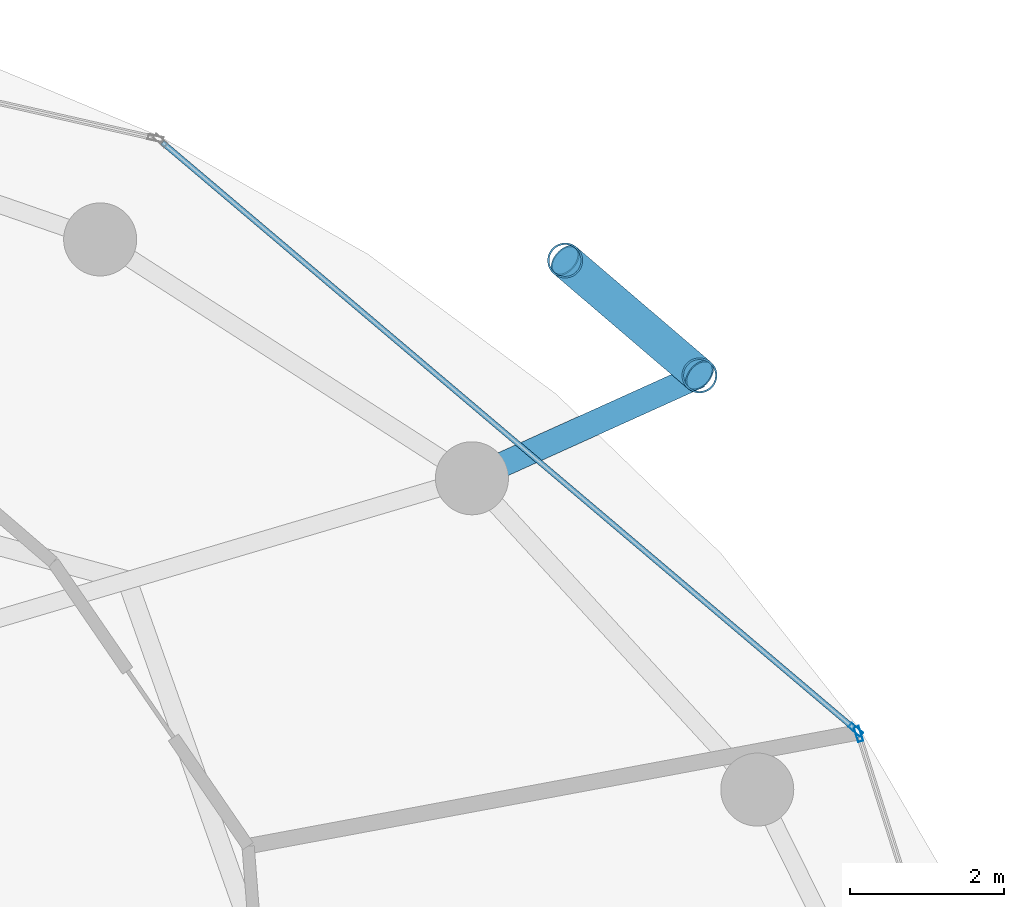
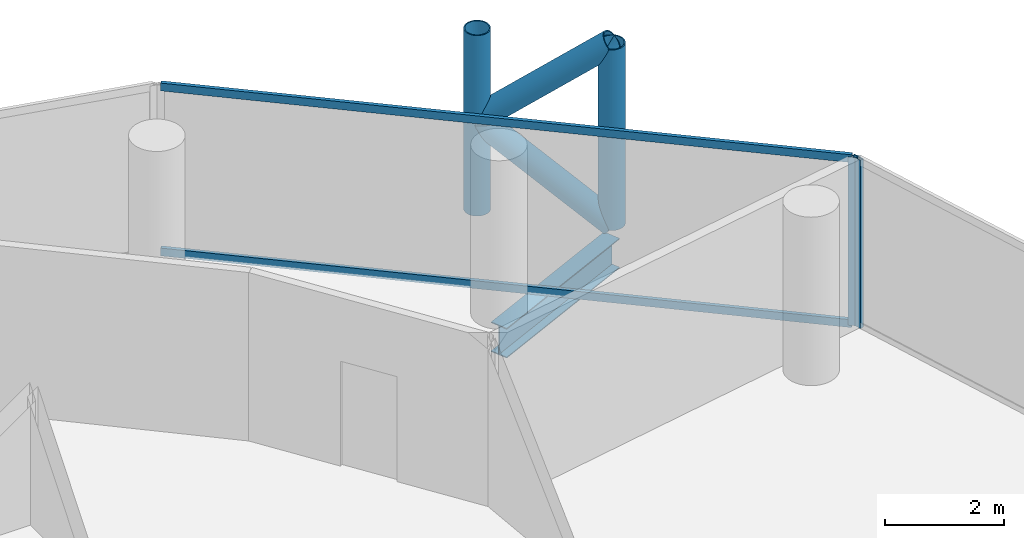
# One storey, part 19 of 26: 8 members, 1 beam, 2 elements without a shape of their own.
"""IFC4 building model written with IfcOpenShell, lengths in metres."""

from ifc_helpers import new_model, si_unit, direction, frame, origin, origin_2d, place, context, subcontext, project, spatial, hollow_rectangle, hollow_circle, i_section, extrude, material, layer, layer_set, material_profile, profile_set, type_object, element, aggregate, save


model = new_model("IFC4")

# Units and contexts
model_context = context("Model", 3, precision=1e-05, world=origin(), true_north=direction((0.0, 1.0)))
body_context = subcontext(model_context, "Body", "Model", "MODEL_VIEW")
ifc_project = project(units=[si_unit("LENGTHUNIT", "METRE"), si_unit("AREAUNIT", "SQUARE_METRE"), si_unit("VOLUMEUNIT", "CUBIC_METRE"), si_unit("PLANEANGLEUNIT", "RADIAN"), si_unit("MASSUNIT", "GRAM", prefix="KILO")], contexts=[model_context])

# Site, building, storey
site_placement = place(None, origin())
site = spatial("IfcSite", under=ifc_project, at=site_placement, CompositionType="ELEMENT")
building_placement = place(site_placement, origin())
building = spatial("IfcBuilding", under=site, at=building_placement, Name="Nuhasar Tower", CompositionType="ELEMENT")
storey_placement = place(building_placement, frame((0.0, 0.0, 170.050048828125)))
storey = spatial("IfcBuildingStorey", under=building, at=storey_placement, Name="L41", CompositionType="ELEMENT", Elevation=170.050048828125)

# Beam
ifc_material_1 = material(Name="Steel S355", Category="steel")
ifc_material_profile_1 = material_profile(ifc_material_1, i_section(OverallWidth=0.323974609375, OverallDepth=0.611083984375, WebThickness=0.0126953125, FlangeThickness=0.01904296875, at=origin_2d()), Name="W24X104")
ifc_profile_set_1 = profile_set([ifc_material_profile_1], Name="Steel S355")
beam_type = type_object("IfcBeamType", Name="BM-TIE-W24X104", PredefinedType="BEAM", material=ifc_profile_set_1)
beam_placement = place(storey_placement, frame((55.510986328125, 40.6240234375, -0.554931640625), z_axis=(0.911239591969, 0.411876687891, 0.0), x_axis=(-0.411876687891, 0.911239591969, 0.0)))
element("IfcBeam", 1, at=beam_placement, inside=storey, type_object=beam_type, Name="L41 Exoskeleton Node Tie Beam 02", PredefinedType="BEAM", context=body_context, shape_type="SweptSolid", body=[
    extrude(i_section(OverallWidth=0.323974609375, OverallDepth=0.611083984375, WebThickness=0.0126953125, FlangeThickness=0.01904296875, at=origin_2d()), origin(), (0.0, 0.0, 1.0), 3.248291015625),
])

# Curtain wall, member
ifc_material_2 = material(Name="Aluminium 6063-T6", Category="aluminium")
ifc_layer = layer(ifc_material_2, 0.199951171875)
ifc_layer_set = layer_set([ifc_layer], Name="Aluminium 6063-T6")
curtain_wall_type = type_object("IfcCurtainWallType", Name="CW-Z2-HTL", PredefinedType="NOTDEFINED", material=ifc_layer_set)
curtain_wall_1_placement = place(storey_placement, origin())
curtain_wall_1 = element("IfcCurtainWall", 2, at=curtain_wall_1_placement, inside=storey, type_object=curtain_wall_type, Name="L41 Unitised Curtain Wall 01", PredefinedType="NOTDEFINED")
ifc_material_profile_2 = material_profile(ifc_material_2, hollow_rectangle(XDim=0.070068359375, YDim=0.199951171875, WallThickness=0.0048828125, at=origin_2d()), Name="CWM-3")
ifc_profile_set_2 = profile_set([ifc_material_profile_2], Name="Aluminium 6063-T6")
member_type_1 = type_object("IfcMemberType", Name="CW-MUL-S3", PredefinedType="MULLION", material=ifc_profile_set_2)
member_1_placement = place(storey_placement, frame((60.53955078125, 37.296630859375, 0.0), z_axis=(0.0, 0.0, 1.0), x_axis=(-0.953433389233, -0.301603667577, 0.0)))
member_1 = element("IfcMember", 3, at=member_1_placement, type_object=member_type_1, Name="CW-Z2 mullion 2", PredefinedType="MULLION", context=body_context, shape_type="SweptSolid", body=[
    extrude(hollow_rectangle(XDim=0.070068359375, YDim=0.199951171875, WallThickness=0.0048828125, at=origin_2d()), origin(), (0.0, 0.0, 1.0), 3.449951171875),
])
aggregate(curtain_wall_1, [member_1])

# Curtain wall, members
curtain_wall_2_placement = place(storey_placement, origin())
curtain_wall_2 = element("IfcCurtainWall", 4, at=curtain_wall_2_placement, inside=storey, type_object=curtain_wall_type, Name="L41 Unitised Curtain Wall 02", PredefinedType="NOTDEFINED")
member_2_placement = place(storey_placement, frame((60.502197265625, 37.3525390625, 0.0), z_axis=(0.0, 0.0, 1.0), x_axis=(-0.646374438324, -0.763020370292, 0.0)))
member_2 = element("IfcMember", 5, at=member_2_placement, type_object=member_type_1, Name="CW-Z2 mullion 1", PredefinedType="MULLION", context=body_context, shape_type="SweptSolid", body=[
    extrude(hollow_rectangle(XDim=0.070068359375, YDim=0.199951171875, WallThickness=0.0048828125, at=origin_2d()), origin(), (0.0, 0.0, 1.0), 3.449951171875),
])
ifc_material_profile_3 = material_profile(ifc_material_2, hollow_rectangle(XDim=0.070068359375, YDim=0.159912109375, WallThickness=0.00439453125, at=origin_2d()), Name="CWT-3")
ifc_profile_set_3 = profile_set([ifc_material_profile_3], Name="Aluminium 6063-T6")
member_type_2 = type_object("IfcMemberType", Name="CW-TRN-S3", PredefinedType="USERDEFINED", material=ifc_profile_set_3)
member_3_placement = place(storey_placement, frame((60.4755859375, 37.375244140625, 0.034912109375), z_axis=(-0.763023915269, 0.646370253592, 0.0), x_axis=(-0.646370253592, -0.763023915269, 0.0)))
member_3 = element("IfcMember", 6, at=member_3_placement, type_object=member_type_2, Name="CW-Z2 transom 1.1", ObjectType="TRANSOM", PredefinedType="USERDEFINED", context=body_context, shape_type="SweptSolid", body=[
    extrude(hollow_rectangle(XDim=0.070068359375, YDim=0.159912109375, WallThickness=0.00439453125, at=origin_2d()), origin(), (0.0, 0.0, 1.0), 11.784912109375),
])
member_4_placement = place(storey_placement, frame((60.4755859375, 37.375244140625, 3.4150390625), z_axis=(-0.763023915269, 0.646370253592, 0.0), x_axis=(-0.646370253592, -0.763023915269, 0.0)))
member_4 = element("IfcMember", 7, at=member_4_placement, type_object=member_type_2, Name="CW-Z2 transom 1.2", ObjectType="TRANSOM", PredefinedType="USERDEFINED", context=body_context, shape_type="SweptSolid", body=[
    extrude(hollow_rectangle(XDim=0.070068359375, YDim=0.159912109375, WallThickness=0.00439453125, at=origin_2d()), origin(), (0.0, 0.0, 1.0), 11.784912109375),
])
aggregate(curtain_wall_2, [member_2, member_3, member_4])

# Members
ifc_material_3 = material(Name="Steel S460", Category="steel")
ifc_material_profile_4 = material_profile(ifc_material_3, hollow_circle(Radius=0.228515625, WallThickness=0.022216796875, at=origin_2d()), Name="HSS457X22.2")
ifc_profile_set_4 = profile_set([ifc_material_profile_4], Name="Steel S460")
member_type_3 = type_object("IfcMemberType", Name="EXO-BRONZE-457", PredefinedType="BRACE", material=ifc_profile_set_4)
for number, where, z_axis, x_axis, name in (
    (8, (58.470947265625, 41.9619140625, 0.0), (0.0, 0.0, 1.0), (1.0, 0.0, 0.0), "L41 Exoskeleton Chord Column EC-02A"),
    (9, (56.722900390625, 43.45703125, 0.0), (0.0, 0.0, 1.0), (1.0, 0.0, 0.0), "L41 Exoskeleton Chord Column EC-02B"),
):
    element("IfcMember", number, at=place(storey_placement, frame(where, z_axis=z_axis, x_axis=x_axis)), inside=storey, type_object=member_type_3, Name=name, PredefinedType="BRACE", context=body_context, shape_type="SweptSolid", body=[
        extrude(hollow_circle(Radius=0.228515625, WallThickness=0.022216796875, at=origin_2d()), origin(), (0.0, 0.0, 1.0), 3.699951171875),
    ])
member_5_placement = place(storey_placement, frame((58.470947265625, 41.9619140625, 0.0), z_axis=(-0.592201065785, 0.506513872468, 0.626690988192), x_axis=(-0.649986859795, -0.759945446788, 0.0)))
element("IfcMember", 10, at=member_5_placement, inside=storey, type_object=member_type_3, Name="L41 Bronze Diagrid Brace W1-02", PredefinedType="BRACE", context=body_context, shape_type="SweptSolid", body=[
    extrude(hollow_circle(Radius=0.228515625, WallThickness=0.022216796875, at=origin_2d()), origin(), (0.0, 0.0, 1.0), 2.95166015625),
])
member_6_placement = place(storey_placement, frame((56.722900390625, 43.45703125, 1.849853515625), z_axis=(0.592170370358, -0.506487618445, 0.626741210415), x_axis=(0.649986859795, 0.759945446788, 0.0)))
element("IfcMember", 11, at=member_6_placement, inside=storey, type_object=member_type_3, Name="L41 Bronze Diagrid Brace W2-02", PredefinedType="BRACE", context=body_context, shape_type="SweptSolid", body=[
    extrude(hollow_circle(Radius=0.228515625, WallThickness=0.022216796875, at=origin_2d()), origin(), (0.0, 0.0, 1.0), 2.951904296875),
])

save(model, "model.ifc")
